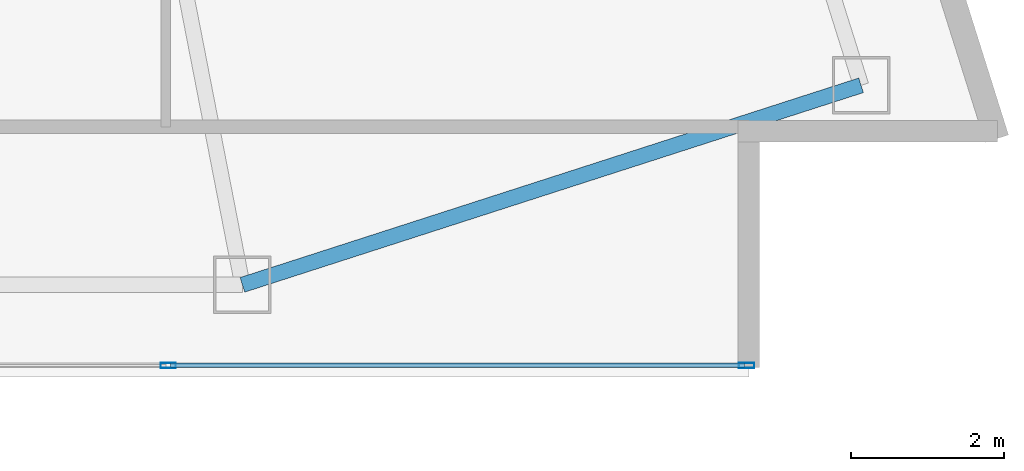
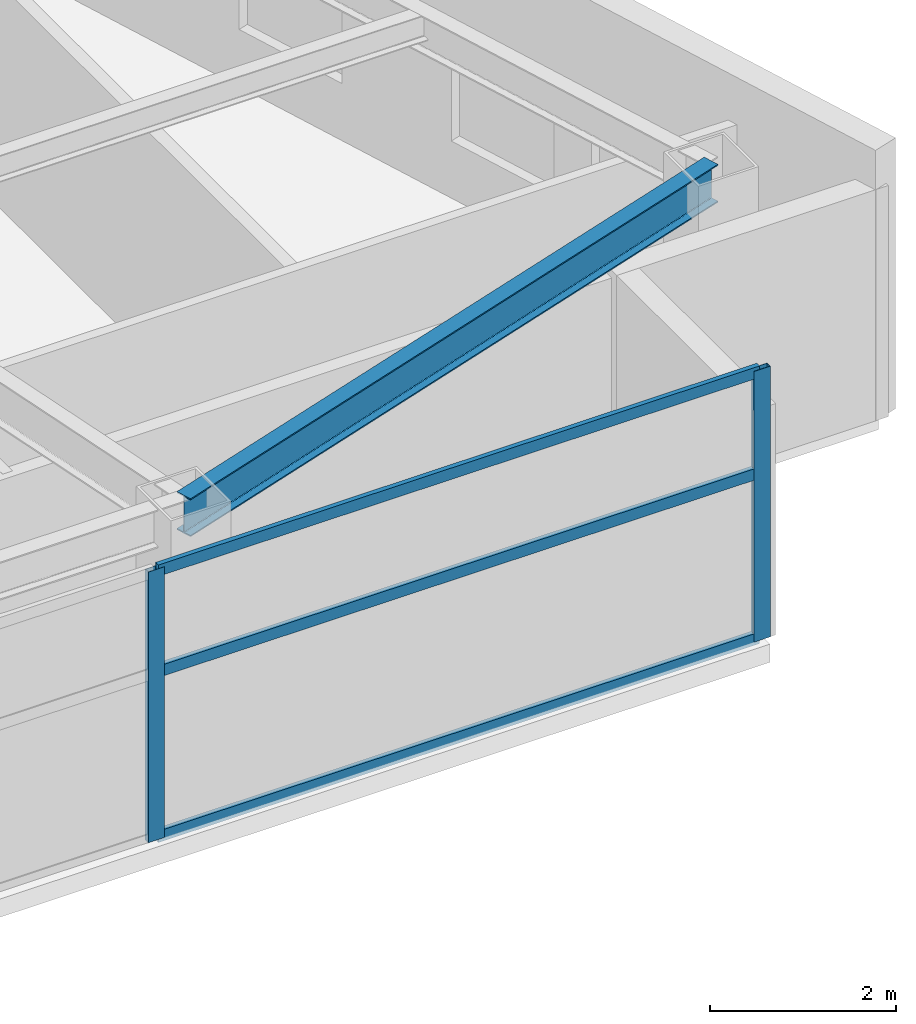
# One storey, part 14 of 28: 5 members, 1 beam, 1 element without a shape of its own.
"""IFC4 building model written with IfcOpenShell, lengths in metres."""

from ifc_helpers import new_model, si_unit, direction, frame, origin, origin_2d, place, context, subcontext, project, spatial, hollow_rectangle, i_section, extrude, material, layer, layer_set, material_profile, profile_set, type_object, element, aggregate, save


model = new_model("IFC4")

# Units and contexts
model_context = context("Model", 3, precision=1e-05, world=origin(), true_north=direction((0.0, 1.0)))
body_context = subcontext(model_context, "Body", "Model", "MODEL_VIEW")
ifc_project = project(units=[si_unit("LENGTHUNIT", "METRE"), si_unit("AREAUNIT", "SQUARE_METRE"), si_unit("VOLUMEUNIT", "CUBIC_METRE"), si_unit("PLANEANGLEUNIT", "RADIAN"), si_unit("MASSUNIT", "GRAM", prefix="KILO")], contexts=[model_context])

# Site, building, storey
site_placement = place(None, origin())
site = spatial("IfcSite", under=ifc_project, at=site_placement, CompositionType="ELEMENT")
building_placement = place(site_placement, origin())
building = spatial("IfcBuilding", under=site, at=building_placement, Name="Calvorn Quay Hotel", CompositionType="ELEMENT")
storey_placement = place(building_placement, frame((0.0, 0.0, 159.89990234375)))
storey = spatial("IfcBuildingStorey", under=building, at=storey_placement, Name="L39", CompositionType="ELEMENT", Elevation=159.89990234375)

# Beam
ifc_material_1 = material(Name="Steel Q355B", Category="steel")
ifc_material_profile_1 = material_profile(ifc_material_1, i_section(OverallWidth=0.199951171875, OverallDepth=0.5, WebThickness=0.010009765625, FlangeThickness=0.01611328125, FilletRadius=0.01611328125, at=origin_2d()), Name="HN500x200x10x16")
ifc_profile_set_1 = profile_set([ifc_material_profile_1], Name="Steel Q355B")
beam_type = type_object("IfcBeamType", Name="BM-SPANDREL-Z1", PredefinedType="SPANDREL", material=ifc_profile_set_1)
beam_placement = place(storey_placement, frame((49.39990234375, 3.60009765625, 3.2900390625), z_axis=(0.951725188386, 0.306951406237, 0.0), x_axis=(-0.306951406237, 0.951725188386, 0.0)))
element("IfcBeam", 1, at=beam_placement, inside=storey, type_object=beam_type, Name="Beam BSP-L39-S6", PredefinedType="SPANDREL", context=body_context, shape_type="SweptSolid", body=[
    extrude(i_section(OverallWidth=0.199951171875, OverallDepth=0.5, WebThickness=0.010009765625, FlangeThickness=0.01611328125, FilletRadius=0.01611328125, at=origin_2d()), origin(), (0.0, 0.0, 1.0), 8.469970703125),
])

# Curtain wall, members
ifc_material_2 = material(Name="Pale Anodised Aluminium and Low-E Glass", Category="aluminium")
ifc_layer = layer(ifc_material_2, 0.219970703125)
ifc_layer_set = layer_set([ifc_layer], Name="CW-SYS-Z2")
curtain_wall_type = type_object("IfcCurtainWallType", Name="CW-SYS-Z2", PredefinedType="NOTDEFINED", material=ifc_layer_set)
curtain_wall_placement = place(storey_placement, origin())
curtain_wall = element("IfcCurtainWall", 2, at=curtain_wall_placement, inside=storey, type_object=curtain_wall_type, Name="Tower South Waterfront Curtain Wall (L39)", PredefinedType="NOTDEFINED")
ifc_material_3 = material(Name="Pale Anodised Aluminium 6063-T6", Category="aluminium")
ifc_material_profile_2 = material_profile(ifc_material_3, hollow_rectangle(XDim=0.070068359375, YDim=0.199951171875, WallThickness=0.00390625, at=origin_2d()), Name="ALU-M200x70x4")
ifc_profile_set_2 = profile_set([ifc_material_profile_2], Name="Pale Anodised Aluminium 6063-T6")
member_type_1 = type_object("IfcMemberType", Name="CW-SYS-Z2-MUL", PredefinedType="MULLION", material=ifc_profile_set_2)
member_1_placement = place(storey_placement, frame((48.433349609375, 2.550048828125, 0.0), z_axis=(0.0, 0.0, 1.0), x_axis=(0.0, 1.0, 0.0)))
member_1 = element("IfcMember", 3, at=member_1_placement, type_object=member_type_1, Name="CW-L39-S mullion 6", PredefinedType="MULLION", context=body_context, shape_type="SweptSolid", body=[
    extrude(hollow_rectangle(XDim=0.070068359375, YDim=0.199951171875, WallThickness=0.00390625, at=origin_2d()), origin(), (0.0, 0.0, 1.0), 3.56005859375),
])
member_2_placement = place(storey_placement, frame((55.969970703125, 2.550048828125, 0.0), z_axis=(0.0, 0.0, 1.0), x_axis=(0.0, 1.0, 0.0)))
member_2 = element("IfcMember", 4, at=member_2_placement, type_object=member_type_1, Name="CW-L39-S mullion 7", PredefinedType="MULLION", context=body_context, shape_type="SweptSolid", body=[
    extrude(hollow_rectangle(XDim=0.070068359375, YDim=0.199951171875, WallThickness=0.00390625, at=origin_2d()), origin(), (0.0, 0.0, 1.0), 3.56005859375),
])
ifc_material_4 = material(Name="Pale Anodised Aluminium 6063-T6", Category="aluminium")
ifc_material_profile_3 = material_profile(ifc_material_4, hollow_rectangle(XDim=0.06005859375, YDim=0.14990234375, WallThickness=0.00341796875, at=origin_2d()), Name="ALU-T150x60x3.5")
ifc_profile_set_3 = profile_set([ifc_material_profile_3], Name="Pale Anodised Aluminium 6063-T6")
member_type_2 = type_object("IfcMemberType", Name="CW-SYS-Z2-TRN", PredefinedType="USERDEFINED", material=ifc_profile_set_3)
member_3_placement = place(storey_placement, frame((48.46337890625, 2.550048828125, 0.030029296875), z_axis=(1.0, 0.0, 0.0), x_axis=(0.0, 1.0, 0.0)))
member_3 = element("IfcMember", 5, at=member_3_placement, type_object=member_type_2, Name="CW-L39-S transom 6.1", ObjectType="TRANSOM", PredefinedType="USERDEFINED", context=body_context, shape_type="SweptSolid", body=[
    extrude(hollow_rectangle(XDim=0.06005859375, YDim=0.14990234375, WallThickness=0.00341796875, at=origin_2d()), origin(), (0.0, 0.0, 1.0), 7.4765625),
])
member_4_placement = place(storey_placement, frame((48.46337890625, 2.550048828125, 2.2001953125), z_axis=(1.0, 0.0, 0.0), x_axis=(0.0, 1.0, 0.0)))
member_4 = element("IfcMember", 6, at=member_4_placement, type_object=member_type_2, Name="CW-L39-S transom 6.2", ObjectType="TRANSOM", PredefinedType="USERDEFINED", context=body_context, shape_type="SweptSolid", body=[
    extrude(hollow_rectangle(XDim=0.06005859375, YDim=0.14990234375, WallThickness=0.00341796875, at=origin_2d()), origin(), (0.0, 0.0, 1.0), 7.4765625),
])
member_5_placement = place(storey_placement, frame((48.46337890625, 2.550048828125, 3.530029296875), z_axis=(1.0, 0.0, 0.0), x_axis=(0.0, 1.0, 0.0)))
member_5 = element("IfcMember", 7, at=member_5_placement, type_object=member_type_2, Name="CW-L39-S transom 6.3", ObjectType="TRANSOM", PredefinedType="USERDEFINED", context=body_context, shape_type="SweptSolid", body=[
    extrude(hollow_rectangle(XDim=0.06005859375, YDim=0.14990234375, WallThickness=0.00341796875, at=origin_2d()), origin(), (0.0, 0.0, 1.0), 7.4765625),
])
aggregate(curtain_wall, [member_1, member_2, member_3, member_4, member_5])

save(model, "model.ifc")
